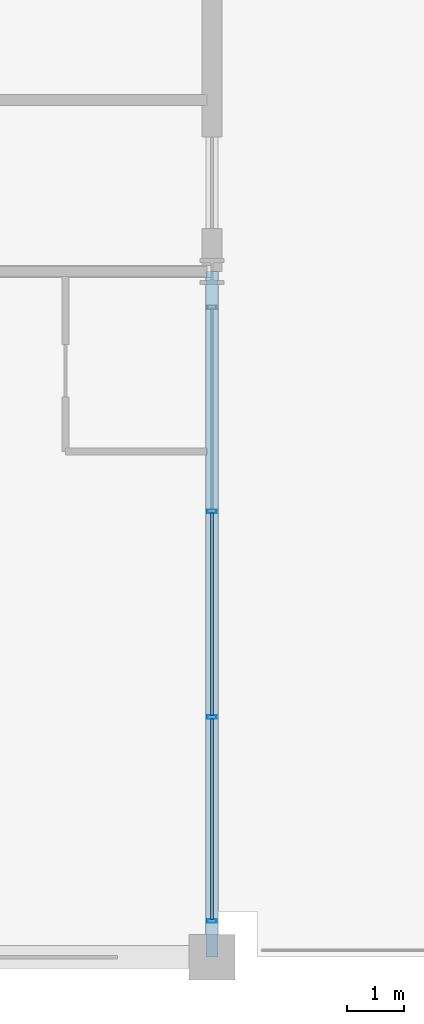
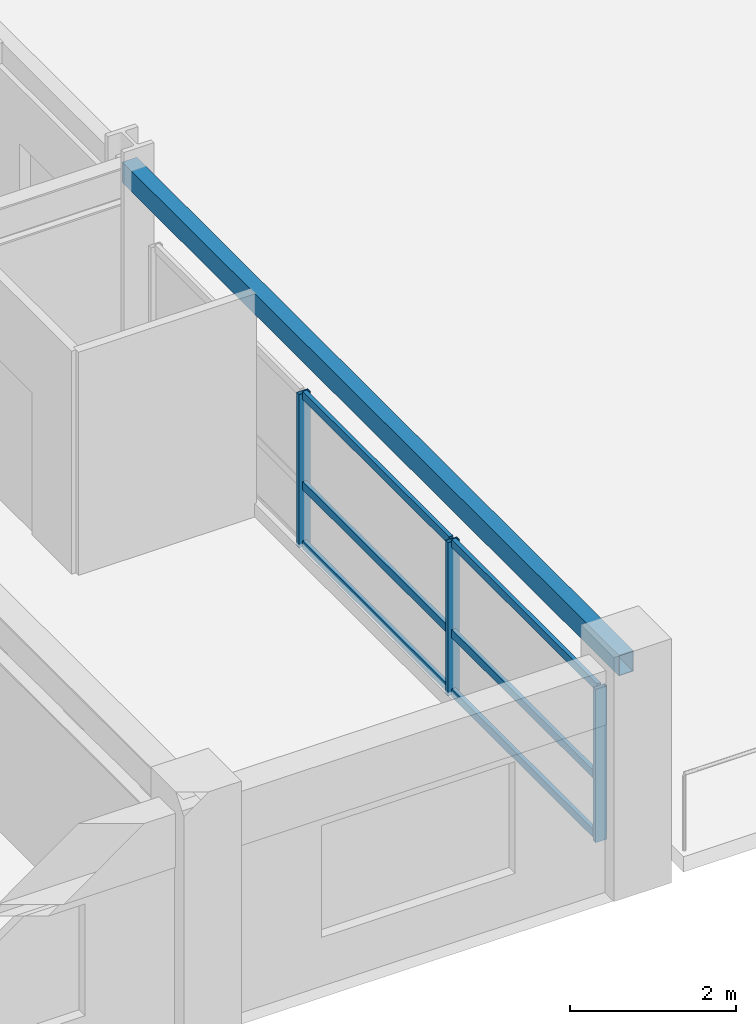
# One storey, part 10 of 27: 9 members, 1 beam, 1 element without a shape of its own.
"""IFC4 building model written with IfcOpenShell, lengths in metres."""

from ifc_helpers import new_model, si_unit, direction, frame, origin, origin_2d, place, context, subcontext, project, spatial, hollow_rectangle, extrude, material, material_profile, profile_set, type_object, element, aggregate, save


model = new_model("IFC4")

# Units and contexts
model_context = context("Model", 3, precision=1e-05, world=origin(), true_north=direction((0.0, 1.0)))
body_context = subcontext(model_context, "Body", "Model", "MODEL_VIEW")
ifc_project = project(units=[si_unit("LENGTHUNIT", "METRE"), si_unit("AREAUNIT", "SQUARE_METRE"), si_unit("VOLUMEUNIT", "CUBIC_METRE"), si_unit("PLANEANGLEUNIT", "RADIAN"), si_unit("MASSUNIT", "GRAM", prefix="KILO")], contexts=[model_context])

# Site, building, storey
site_placement = place(None, origin())
site = spatial("IfcSite", under=ifc_project, at=site_placement, CompositionType="ELEMENT")
building_placement = place(site_placement, origin())
building = spatial("IfcBuilding", under=site, at=building_placement, Name="Kaldorvane Square Convention Centre", CompositionType="ELEMENT")
storey_placement = place(building_placement, frame((0.0, 0.0, 38.399993896484375)))
storey = spatial("IfcBuildingStorey", under=building, at=storey_placement, Name="L08", CompositionType="ELEMENT", Elevation=38.399993896484375)

# Beam
ifc_material_1 = material(Name="Steel ASTM A500 Gr. C", Category="steel")
ifc_material_profile_1 = material_profile(ifc_material_1, hollow_rectangle(XDim=0.2032012939453125, YDim=0.3047943115234375, WallThickness=0.0088958740234375, at=origin_2d()), Name="HSS12X8X3/8")
ifc_profile_set_1 = profile_set([ifc_material_profile_1], Name="Steel ASTM A500 Gr. C")
beam_type = type_object("IfcBeamType", Name="BM-SP-HSS12", PredefinedType="SPANDREL", material=ifc_profile_set_1)
beam_placement = place(storey_placement, frame((84.0, 84.0, 3.13360595703125), z_axis=(0.0, 1.0, 0.0), x_axis=(-1.0, 0.0, 0.0)))
element("IfcBeam", 1, at=beam_placement, inside=storey, type_object=beam_type, Name="End Spandrel (L08)", PredefinedType="SPANDREL", context=body_context, shape_type="SweptSolid", body=[
    extrude(hollow_rectangle(XDim=0.2032012939453125, YDim=0.3047943115234375, WallThickness=0.0088958740234375, at=origin_2d()), origin(), (0.0, 0.0, 1.0), 12.0),
])

# Curtain wall, members
ifc_material_2 = material(Name="Anodized Aluminum and Low-E Insulated Glazing", Category="aluminium")
curtain_wall_type = type_object("IfcCurtainWallType", Name="CW-UNI-HTL-A", PredefinedType="USERDEFINED", material=ifc_material_2)
curtain_wall_placement = place(storey_placement, origin())
curtain_wall = element("IfcCurtainWall", 2, at=curtain_wall_placement, inside=storey, type_object=curtain_wall_type, Name="Curtain Wall CW-10 (L08)", ObjectType="UNITISED GLAZING", PredefinedType="USERDEFINED")
ifc_material_profile_2 = material_profile(ifc_material_2, hollow_rectangle(XDim=0.05999755859375, YDim=0.160003662109375, WallThickness=0.003204345703125, at=origin_2d()), Name="CWM-160X60")
ifc_profile_set_2 = profile_set([ifc_material_profile_2], Name="Anodized Aluminum and Low-E Insulated Glazing")
member_type_1 = type_object("IfcMemberType", Name="CW-MUL-160", PredefinedType="MULLION", material=ifc_profile_set_2)
member_1_placement = place(storey_placement, frame((84.0, 84.6300048828125, 0.1500091552734375), z_axis=(0.0, 0.0, 1.0), x_axis=(0.0, 1.0, 0.0)))
member_1 = element("IfcMember", 3, at=member_1_placement, type_object=member_type_1, Name="CW-10 mullion 1", PredefinedType="MULLION", context=body_context, shape_type="SweptSolid", body=[
    extrude(hollow_rectangle(XDim=0.05999755859375, YDim=0.160003662109375, WallThickness=0.003204345703125, at=origin_2d()), origin(), (0.0, 0.0, 1.0), 2.2599945068359375),
])
member_2_placement = place(storey_placement, frame((84.0, 88.19999694824219, 0.1500091552734375), z_axis=(0.0, 0.0, 1.0), x_axis=(0.0, 1.0, 0.0)))
member_2 = element("IfcMember", 4, at=member_2_placement, type_object=member_type_1, Name="CW-10 mullion 2", PredefinedType="MULLION", context=body_context, shape_type="SweptSolid", body=[
    extrude(hollow_rectangle(XDim=0.05999755859375, YDim=0.160003662109375, WallThickness=0.003204345703125, at=origin_2d()), origin(), (0.0, 0.0, 1.0), 2.2599945068359375),
])
member_3_placement = place(storey_placement, frame((84.0, 91.80000305175781, 0.1500091552734375), z_axis=(0.0, 0.0, 1.0), x_axis=(0.0, 1.0, 0.0)))
member_3 = element("IfcMember", 5, at=member_3_placement, type_object=member_type_1, Name="CW-10 mullion 3", PredefinedType="MULLION", context=body_context, shape_type="SweptSolid", body=[
    extrude(hollow_rectangle(XDim=0.05999755859375, YDim=0.160003662109375, WallThickness=0.003204345703125, at=origin_2d()), origin(), (0.0, 0.0, 1.0), 2.2599945068359375),
])
ifc_material_profile_3 = material_profile(ifc_material_2, hollow_rectangle(XDim=0.05499267578125, YDim=0.1199951171875, WallThickness=0.0030059814453125, at=origin_2d()), Name="CWT-120X55")
ifc_profile_set_3 = profile_set([ifc_material_profile_3], Name="Anodized Aluminum and Low-E Insulated Glazing")
member_type_2 = type_object("IfcMemberType", Name="CW-TRN-120", PredefinedType="USERDEFINED", material=ifc_profile_set_3)
member_4_placement = place(storey_placement, frame((84.0, 84.66000366210938, 0.1775054931640625), z_axis=(0.0, 1.0, 0.0), x_axis=(-1.0, 0.0, 0.0)))
member_4 = element("IfcMember", 6, at=member_4_placement, type_object=member_type_2, Name="CW-10 transom 1.1", ObjectType="TRANSOM", PredefinedType="USERDEFINED", context=body_context, shape_type="SweptSolid", body=[
    extrude(hollow_rectangle(XDim=0.05499267578125, YDim=0.1199951171875, WallThickness=0.0030059814453125, at=origin_2d()), origin(), (0.0, 0.0, 1.0), 3.5099945068359375),
])
member_5_placement = place(storey_placement, frame((84.0, 84.66000366210938, 1.0500030517578125), z_axis=(0.0, 1.0, 0.0), x_axis=(-1.0, 0.0, 0.0)))
member_5 = element("IfcMember", 7, at=member_5_placement, type_object=member_type_2, Name="CW-10 transom 1.2", ObjectType="TRANSOM", PredefinedType="USERDEFINED", context=body_context, shape_type="SweptSolid", body=[
    extrude(hollow_rectangle(XDim=0.05499267578125, YDim=0.1199951171875, WallThickness=0.0030059814453125, at=origin_2d()), origin(), (0.0, 0.0, 1.0), 3.5099945068359375),
])
member_6_placement = place(storey_placement, frame((84.0, 84.66000366210938, 2.38250732421875), z_axis=(0.0, 1.0, 0.0), x_axis=(-1.0, 0.0, 0.0)))
member_6 = element("IfcMember", 8, at=member_6_placement, type_object=member_type_2, Name="CW-10 transom 1.3", ObjectType="TRANSOM", PredefinedType="USERDEFINED", context=body_context, shape_type="SweptSolid", body=[
    extrude(hollow_rectangle(XDim=0.05499267578125, YDim=0.1199951171875, WallThickness=0.0030059814453125, at=origin_2d()), origin(), (0.0, 0.0, 1.0), 3.5099945068359375),
])
member_7_placement = place(storey_placement, frame((84.0, 88.22999572753906, 0.1775054931640625), z_axis=(0.0, 1.0, 0.0), x_axis=(-1.0, 0.0, 0.0)))
member_7 = element("IfcMember", 9, at=member_7_placement, type_object=member_type_2, Name="CW-10 transom 2.1", ObjectType="TRANSOM", PredefinedType="USERDEFINED", context=body_context, shape_type="SweptSolid", body=[
    extrude(hollow_rectangle(XDim=0.05499267578125, YDim=0.1199951171875, WallThickness=0.0030059814453125, at=origin_2d()), origin(), (0.0, 0.0, 1.0), 3.540008544921875),
])
member_8_placement = place(storey_placement, frame((84.0, 88.22999572753906, 1.0500030517578125), z_axis=(0.0, 1.0, 0.0), x_axis=(-1.0, 0.0, 0.0)))
member_8 = element("IfcMember", 10, at=member_8_placement, type_object=member_type_2, Name="CW-10 transom 2.2", ObjectType="TRANSOM", PredefinedType="USERDEFINED", context=body_context, shape_type="SweptSolid", body=[
    extrude(hollow_rectangle(XDim=0.05499267578125, YDim=0.1199951171875, WallThickness=0.0030059814453125, at=origin_2d()), origin(), (0.0, 0.0, 1.0), 3.540008544921875),
])
member_9_placement = place(storey_placement, frame((84.0, 88.22999572753906, 2.38250732421875), z_axis=(0.0, 1.0, 0.0), x_axis=(-1.0, 0.0, 0.0)))
member_9 = element("IfcMember", 11, at=member_9_placement, type_object=member_type_2, Name="CW-10 transom 2.3", ObjectType="TRANSOM", PredefinedType="USERDEFINED", context=body_context, shape_type="SweptSolid", body=[
    extrude(hollow_rectangle(XDim=0.05499267578125, YDim=0.1199951171875, WallThickness=0.0030059814453125, at=origin_2d()), origin(), (0.0, 0.0, 1.0), 3.540008544921875),
])
aggregate(curtain_wall, [member_1, member_2, member_3, member_4, member_5, member_6, member_7, member_8, member_9])

save(model, "model.ifc")
